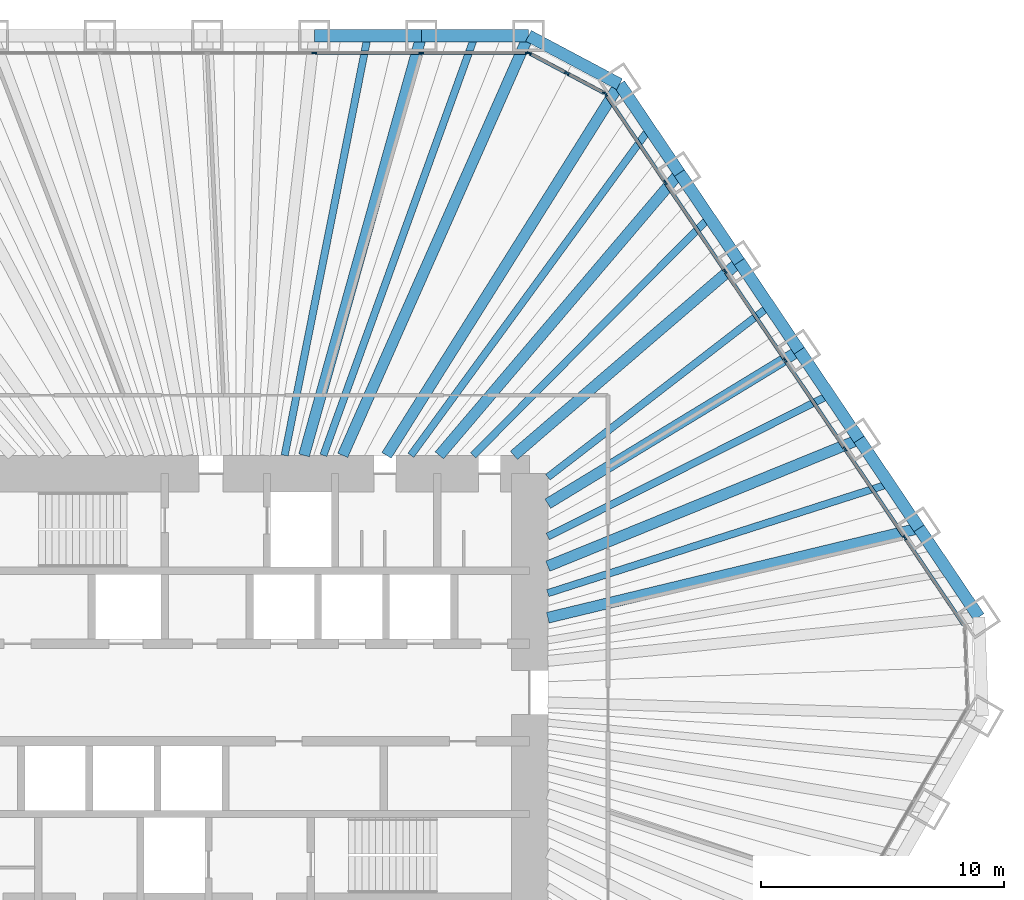
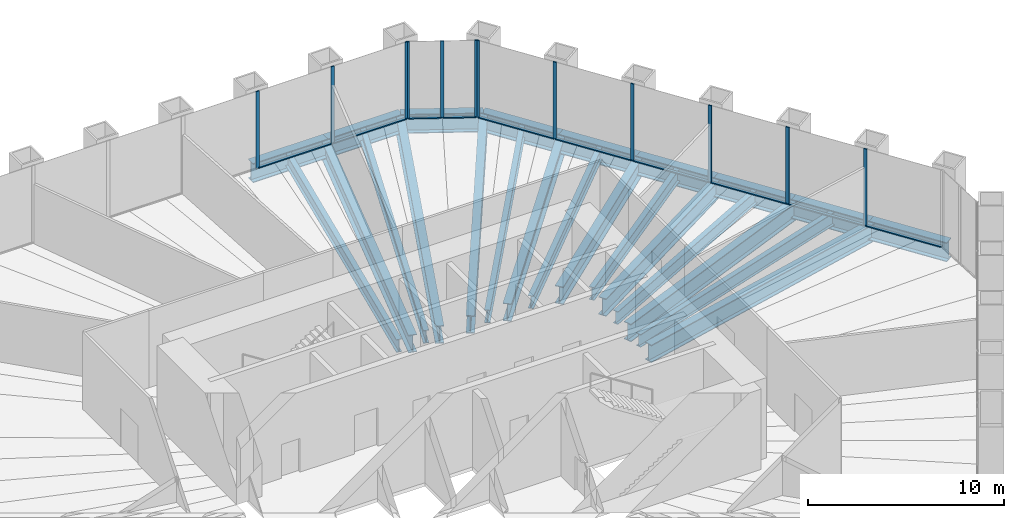
# One storey, part 7 of 13: 24 beams, 22 members, 3 elements without a shape of their own.
"""IFC4 building model written with IfcOpenShell, lengths in metres."""

from ifc_helpers import new_model, si_unit, direction, frame, origin, origin_2d, place, context, subcontext, project, spatial, rectangle, i_section, extrude, material, material_profile, profile_set, type_object, element, aggregate, save


model = new_model("IFC4")

# Units and contexts
model_context = context("Model", 3, precision=1e-05, world=origin(), true_north=direction((0.0, 1.0)))
body_context = subcontext(model_context, "Body", "Model", "MODEL_VIEW")
ifc_project = project(units=[si_unit("LENGTHUNIT", "METRE"), si_unit("AREAUNIT", "SQUARE_METRE"), si_unit("VOLUMEUNIT", "CUBIC_METRE"), si_unit("PLANEANGLEUNIT", "RADIAN"), si_unit("MASSUNIT", "GRAM", prefix="KILO")], contexts=[model_context])

# Site, building, storey
site_placement = place(None, origin())
site = spatial("IfcSite", under=ifc_project, at=site_placement, CompositionType="ELEMENT")
building_placement = place(site_placement, origin())
building = spatial("IfcBuilding", under=site, at=building_placement, Name="Qingtian Harvest Tower", CompositionType="ELEMENT")
storey_placement = place(building_placement, frame((0.0, 0.0, 32.0)))
storey = spatial("IfcBuildingStorey", under=building, at=storey_placement, Name="L06", CompositionType="ELEMENT", Elevation=32.0)

# Beams
ifc_material_1 = material(Name="Steel SM570MC", Category="steel")
ifc_material_profile_1 = material_profile(ifc_material_1, i_section(OverallWidth=0.449951171875, OverallDepth=1.10009765625, WebThickness=0.02197265625, FlangeThickness=0.044921875, at=origin_2d()), Name="H1100x450x22x45")
ifc_profile_set_1 = profile_set([ifc_material_profile_1], Name="Steel SM570MC")
beam_type_1 = type_object("IfcBeamType", Name="Corner floor beam FB8 H1100x450x22x45", PredefinedType="BEAM", material=ifc_profile_set_1)
beam_1_placement = place(storey_placement, frame((11.9560546875, 27.0, -0.75), z_axis=(-0.404898955654, -0.914361436036, 0.0), x_axis=(0.914361436036, -0.404898955654, 0.0)))
element("IfcBeam", 1, at=beam_1_placement, inside=storey, type_object=beam_type_1, Name="Floor beam FB8 N6", PredefinedType="BEAM", context=body_context, shape_type="SweptSolid", body=[
    extrude(i_section(OverallWidth=0.449951171875, OverallDepth=1.10009765625, WebThickness=0.02197265625, FlangeThickness=0.044921875, at=origin_2d()), origin(), (0.0, 0.0, 1.0), 18.86572265625),
])
beam_2_placement = place(storey_placement, frame((15.6982421875, 25.01025390625, -0.75), z_axis=(-0.531622796942, -0.846981228701, 0.0), x_axis=(0.846981228701, -0.531622796942, 0.0)))
element("IfcBeam", 2, at=beam_2_placement, inside=storey, type_object=beam_type_1, Name="Floor beam FB8 NE0", PredefinedType="BEAM", context=body_context, shape_type="SweptSolid", body=[
    extrude(i_section(OverallWidth=0.449951171875, OverallDepth=1.10009765625, WebThickness=0.02197265625, FlangeThickness=0.044921875, at=origin_2d()), origin(), (0.0, 0.0, 1.0), 18.017333984375),
])
ifc_material_2 = material(Name="Steel SM570MC", Category="steel")
ifc_material_profile_2 = material_profile(ifc_material_2, i_section(OverallWidth=0.449951171875, OverallDepth=1.10009765625, WebThickness=0.02197265625, FlangeThickness=0.044921875, at=origin_2d()), Name="H1100x450x22x45")
ifc_profile_set_2 = profile_set([ifc_material_profile_2], Name="Steel SM570MC")
beam_type_2 = type_object("IfcBeamType", Name="Floor beam FB1 H1100x450x22x45", PredefinedType="BEAM", material=ifc_profile_set_2)
beam_3_placement = place(storey_placement, frame((7.551513671875, 27.0, -0.75), z_axis=(-0.269343258019, -0.963044240604, 0.0), x_axis=(0.963044240604, -0.269343258019, 0.0)))
element("IfcBeam", 3, at=beam_3_placement, inside=storey, type_object=beam_type_2, Name="Floor beam FB1 N5", PredefinedType="BEAM", context=body_context, shape_type="SweptSolid", body=[
    extrude(i_section(OverallWidth=0.449951171875, OverallDepth=1.10009765625, WebThickness=0.02197265625, FlangeThickness=0.044921875, at=origin_2d()), origin(), (0.0, 0.0, 1.0), 17.911865234375),
])
beam_4_placement = place(storey_placement, frame((18.1611328125, 21.358642578125, -0.75), z_axis=(-0.647781887327, -0.761825850474, 0.0), x_axis=(0.761825850474, -0.647781887327, 0.0)))
element("IfcBeam", 4, at=beam_4_placement, inside=storey, type_object=beam_type_2, Name="Floor beam FB1 NE1", PredefinedType="BEAM", context=body_context, shape_type="SweptSolid", body=[
    extrude(i_section(OverallWidth=0.449951171875, OverallDepth=1.10009765625, WebThickness=0.02197265625, FlangeThickness=0.044921875, at=origin_2d()), origin(), (0.0, 0.0, 1.0), 15.238037109375),
])
beam_5_placement = place(storey_placement, frame((20.624267578125, 17.70703125, -0.75), z_axis=(-0.75873153072, -0.651403457384, 0.0), x_axis=(0.651403457384, -0.75873153072, 0.0)))
element("IfcBeam", 5, at=beam_5_placement, inside=storey, type_object=beam_type_2, Name="Floor beam FB1 NE2", PredefinedType="BEAM", context=body_context, shape_type="SweptSolid", body=[
    extrude(i_section(OverallWidth=0.449951171875, OverallDepth=1.10009765625, WebThickness=0.02197265625, FlangeThickness=0.044921875, at=origin_2d()), origin(), (0.0, 0.0, 1.0), 12.21533203125),
])
beam_6_placement = place(storey_placement, frame((23.08740234375, 14.0556640625, -0.75), z_axis=(-0.854157261259, -0.520014781558, 0.0), x_axis=(0.520014781558, -0.854157261259, 0.0)))
element("IfcBeam", 6, at=beam_6_placement, inside=storey, type_object=beam_type_2, Name="Floor beam FB1 NE3", PredefinedType="BEAM", context=body_context, shape_type="SweptSolid", body=[
    extrude(i_section(OverallWidth=0.449951171875, OverallDepth=1.10009765625, WebThickness=0.02197265625, FlangeThickness=0.044921875, at=origin_2d()), origin(), (0.0, 0.0, 1.0), 12.1025390625),
])
beam_7_placement = place(storey_placement, frame((25.55029296875, 10.404052734375, -0.75), z_axis=(-0.926156354735, -0.37713977062, 0.0), x_axis=(0.37713977062, -0.926156354735, 0.0)))
element("IfcBeam", 7, at=beam_7_placement, inside=storey, type_object=beam_type_2, Name="Floor beam FB1 NE4", PredefinedType="BEAM", context=body_context, shape_type="SweptSolid", body=[
    extrude(i_section(OverallWidth=0.449951171875, OverallDepth=1.10009765625, WebThickness=0.02197265625, FlangeThickness=0.044921875, at=origin_2d()), origin(), (0.0, 0.0, 1.0), 13.82080078125),
])
beam_8_placement = place(storey_placement, frame((28.013427734375, 6.75244140625, -0.75), z_axis=(-0.972155908389, -0.234334994792, 0.0), x_axis=(0.234334994792, -0.972155908389, 0.0)))
element("IfcBeam", 8, at=beam_8_placement, inside=storey, type_object=beam_type_2, Name="Floor beam FB1 NE5", PredefinedType="BEAM", context=body_context, shape_type="SweptSolid", body=[
    extrude(i_section(OverallWidth=0.449951171875, OverallDepth=1.10009765625, WebThickness=0.02197265625, FlangeThickness=0.044921875, at=origin_2d()), origin(), (0.0, 0.0, 1.0), 15.70068359375),
])
ifc_material_3 = material(Name="Steel SN490B", Category="steel")
ifc_material_profile_3 = material_profile(ifc_material_3, i_section(OverallWidth=0.300048828125, OverallDepth=0.800048828125, WebThickness=0.013916015625, FlangeThickness=0.02587890625, at=origin_2d()), Name="H800x300x14x26")
ifc_profile_set_3 = profile_set([ifc_material_profile_3], Name="Steel SN490B")
beam_type_3 = type_object("IfcBeamType", Name="Floor joist J1 H800x300x14x26", PredefinedType="JOIST", material=ifc_profile_set_3)
beam_9_placement = place(storey_placement, frame((5.349365234375, 27.0, -0.60009765625), z_axis=(-0.19435104803, -0.980932041545, 0.0), x_axis=(0.980932041545, -0.19435104803, 0.0)))
element("IfcBeam", 9, at=beam_9_placement, inside=storey, type_object=beam_type_3, Name="Floor joist J1 N4", PredefinedType="JOIST", context=body_context, shape_type="SweptSolid", body=[
    extrude(i_section(OverallWidth=0.300048828125, OverallDepth=0.800048828125, WebThickness=0.013916015625, FlangeThickness=0.02587890625, at=origin_2d()), origin(), (0.0, 0.0, 1.0), 17.585205078125),
])
beam_10_placement = place(storey_placement, frame((9.75390625, 27.0, -0.60009765625), z_axis=(-0.339766141765, -0.940509951521, 0.0), x_axis=(0.940509951521, -0.339766141765, 0.0)))
element("IfcBeam", 10, at=beam_10_placement, inside=storey, type_object=beam_type_3, Name="Floor joist J1 N5", PredefinedType="JOIST", context=body_context, shape_type="SweptSolid", body=[
    extrude(i_section(OverallWidth=0.300048828125, OverallDepth=0.800048828125, WebThickness=0.013916015625, FlangeThickness=0.02587890625, at=origin_2d()), origin(), (0.0, 0.0, 1.0), 18.341064453125),
])
beam_11_placement = place(storey_placement, frame((16.9296875, 23.1845703125, -0.60009765625), z_axis=(-0.589722175422, -0.80760618857, 0.0), x_axis=(0.80760618857, -0.589722175422, 0.0)))
element("IfcBeam", 11, at=beam_11_placement, inside=storey, type_object=beam_type_3, Name="Floor joist J1 NE0", PredefinedType="JOIST", context=body_context, shape_type="SweptSolid", body=[
    extrude(i_section(OverallWidth=0.300048828125, OverallDepth=0.800048828125, WebThickness=0.013916015625, FlangeThickness=0.02587890625, at=origin_2d()), origin(), (0.0, 0.0, 1.0), 16.635009765625),
])
beam_12_placement = place(storey_placement, frame((19.392822265625, 19.532958984375, -0.60009765625), z_axis=(-0.704560879039, -0.709643549768, 0.0), x_axis=(0.709643549768, -0.704560879039, 0.0)))
element("IfcBeam", 12, at=beam_12_placement, inside=storey, type_object=beam_type_3, Name="Floor joist J1 NE1", PredefinedType="JOIST", context=body_context, shape_type="SweptSolid", body=[
    extrude(i_section(OverallWidth=0.300048828125, OverallDepth=0.800048828125, WebThickness=0.013916015625, FlangeThickness=0.02587890625, at=origin_2d()), origin(), (0.0, 0.0, 1.0), 13.78564453125),
])
beam_13_placement = place(storey_placement, frame((21.855712890625, 15.88134765625, -0.60009765625), z_axis=(-0.79149450594, -0.611176281499, 0.0), x_axis=(0.611176281499, -0.79149450594, 0.0)))
element("IfcBeam", 13, at=beam_13_placement, inside=storey, type_object=beam_type_3, Name="Floor joist J1 NE2", PredefinedType="JOIST", context=body_context, shape_type="SweptSolid", body=[
    extrude(i_section(OverallWidth=0.300048828125, OverallDepth=0.800048828125, WebThickness=0.013916015625, FlangeThickness=0.02587890625, at=origin_2d()), origin(), (0.0, 0.0, 1.0), 11.50439453125),
])
beam_14_placement = place(storey_placement, frame((24.31884765625, 12.229736328125, -0.60009765625), z_axis=(-0.893391632689, -0.449278744924, 0.0), x_axis=(0.449278744924, -0.893391632689, 0.0)))
element("IfcBeam", 14, at=beam_14_placement, inside=storey, type_object=beam_type_3, Name="Floor joist J1 NE3", PredefinedType="JOIST", context=body_context, shape_type="SweptSolid", body=[
    extrude(i_section(OverallWidth=0.300048828125, OverallDepth=0.800048828125, WebThickness=0.013916015625, FlangeThickness=0.02587890625, at=origin_2d()), origin(), (0.0, 0.0, 1.0), 12.949462890625),
])
beam_15_placement = place(storey_placement, frame((26.78173828125, 8.578125, -0.60009765625), z_axis=(-0.952340804978, -0.305036048976, 0.0), x_axis=(0.305036048976, -0.952340804978, 0.0)))
element("IfcBeam", 15, at=beam_15_placement, inside=storey, type_object=beam_type_3, Name="Floor joist J1 NE4", PredefinedType="JOIST", context=body_context, shape_type="SweptSolid", body=[
    extrude(i_section(OverallWidth=0.300048828125, OverallDepth=0.800048828125, WebThickness=0.013916015625, FlangeThickness=0.02587890625, at=origin_2d()), origin(), (0.0, 0.0, 1.0), 14.73388671875),
])

# Curtain wall, members
ifc_material_4 = material(Name="Bronze-anodised aluminium curtain wall", Category="aluminium")
curtain_wall_type = type_object("IfcCurtainWallType", Name="Curtain wall CW2 farm reception", PredefinedType="USERDEFINED", material=ifc_material_4)
curtain_wall_1_placement = place(storey_placement, origin())
curtain_wall_1 = element("IfcCurtainWall", 16, at=curtain_wall_1_placement, inside=storey, type_object=curtain_wall_type, Name="Curtain wall CW2 L06 N0-5", ObjectType="RECESSED CURTAIN WALL", PredefinedType="USERDEFINED")
ifc_material_5 = material(Name="Bronze-anodised aluminium mullion", Category="aluminium")
ifc_material_profile_4 = material_profile(ifc_material_5, rectangle(XDim=0.06494140625, YDim=0.199951171875, at=origin_2d()), Name="AL 65x200")
ifc_profile_set_4 = profile_set([ifc_material_profile_4], Name="Bronze-anodised aluminium mullion")
member_type_1 = type_object("IfcMemberType", Name="Mullion CWM 65x200", PredefinedType="MULLION", material=ifc_profile_set_4)
member_1_placement = place(storey_placement, frame((3.14697265625, 26.300048828125, 0.0), z_axis=(0.0, 0.0, 1.0), x_axis=(0.0, 1.0, 0.0)))
member_1 = element("IfcMember", 17, at=member_1_placement, type_object=member_type_1, Name="CW2 mullion 5", PredefinedType="MULLION", context=body_context, shape_type="SweptSolid", body=[
    extrude(rectangle(XDim=0.06494140625, YDim=0.199951171875, at=origin_2d()), origin(), (0.0, 0.0, 1.0), 4.800048828125),
])
member_2_placement = place(storey_placement, frame((7.551513671875, 26.300048828125, 0.0), z_axis=(0.0, 0.0, 1.0), x_axis=(0.0, 1.0, 0.0)))
member_2 = element("IfcMember", 18, at=member_2_placement, type_object=member_type_1, Name="CW2 mullion 6", PredefinedType="MULLION", context=body_context, shape_type="SweptSolid", body=[
    extrude(rectangle(XDim=0.06494140625, YDim=0.199951171875, at=origin_2d()), origin(), (0.0, 0.0, 1.0), 4.800048828125),
])
member_3_placement = place(storey_placement, frame((11.923583984375, 26.300048828125, 0.0), z_axis=(0.0, 0.0, 1.0), x_axis=(0.0, 1.0, 0.0)))
member_3 = element("IfcMember", 19, at=member_3_placement, type_object=member_type_1, Name="CW2 mullion 7", PredefinedType="MULLION", context=body_context, shape_type="SweptSolid", body=[
    extrude(rectangle(XDim=0.06494140625, YDim=0.199951171875, at=origin_2d()), origin(), (0.0, 0.0, 1.0), 4.800048828125),
])

curtain_wall_2_placement = place(storey_placement, origin())
curtain_wall_2 = element("IfcCurtainWall", 20, at=curtain_wall_2_placement, inside=storey, type_object=curtain_wall_type, Name="Curtain wall CW2 L06 NC", ObjectType="RECESSED CURTAIN WALL", PredefinedType="USERDEFINED")
member_4_placement = place(storey_placement, frame((11.98486328125, 26.28466796875, 0.0), z_axis=(0.0, 0.0, 1.0), x_axis=(0.469471562786, 0.882947592859, 0.0)))
member_4 = element("IfcMember", 21, at=member_4_placement, type_object=member_type_1, Name="CW2 mullion 1", PredefinedType="MULLION", context=body_context, shape_type="SweptSolid", body=[
    extrude(rectangle(XDim=0.06494140625, YDim=0.199951171875, at=origin_2d()), origin(), (0.0, 0.0, 1.0), 4.800048828125),
])
member_5_placement = place(storey_placement, frame((13.537109375, 25.45947265625, 0.0), z_axis=(0.0, 0.0, 1.0), x_axis=(0.469471562786, 0.882947592859, 0.0)))
member_5 = element("IfcMember", 22, at=member_5_placement, type_object=member_type_1, Name="CW2 mullion 2", PredefinedType="MULLION", context=body_context, shape_type="SweptSolid", body=[
    extrude(rectangle(XDim=0.06494140625, YDim=0.199951171875, at=origin_2d()), origin(), (0.0, 0.0, 1.0), 4.800048828125),
])
member_6_placement = place(storey_placement, frame((15.089111328125, 24.634033203125, 0.0), z_axis=(0.0, 0.0, 1.0), x_axis=(0.469471562786, 0.882947592859, 0.0)))
member_6 = element("IfcMember", 23, at=member_6_placement, type_object=member_type_1, Name="CW2 mullion 3", PredefinedType="MULLION", context=body_context, shape_type="SweptSolid", body=[
    extrude(rectangle(XDim=0.06494140625, YDim=0.199951171875, at=origin_2d()), origin(), (0.0, 0.0, 1.0), 4.800048828125),
])

curtain_wall_3_placement = place(storey_placement, origin())
curtain_wall_3 = element("IfcCurtainWall", 24, at=curtain_wall_3_placement, inside=storey, type_object=curtain_wall_type, Name="Curtain wall CW2 L06 NE0-5", ObjectType="RECESSED CURTAIN WALL", PredefinedType="USERDEFINED")
member_7_placement = place(storey_placement, frame((15.135986328125, 24.592041015625, 0.0), z_axis=(0.0, 0.0, 1.0), x_axis=(0.829037572555, 0.559192903471, 0.0)))
member_7 = element("IfcMember", 25, at=member_7_placement, type_object=member_type_1, Name="CW2 mullion 1", PredefinedType="MULLION", context=body_context, shape_type="SweptSolid", body=[
    extrude(rectangle(XDim=0.06494140625, YDim=0.199951171875, at=origin_2d()), origin(), (0.0, 0.0, 1.0), 4.800048828125),
])
member_8_placement = place(storey_placement, frame((17.580810546875, 20.96728515625, 0.0), z_axis=(0.0, 0.0, 1.0), x_axis=(0.829037572555, 0.559192903471, 0.0)))
member_8 = element("IfcMember", 26, at=member_8_placement, type_object=member_type_1, Name="CW2 mullion 2", PredefinedType="MULLION", context=body_context, shape_type="SweptSolid", body=[
    extrude(rectangle(XDim=0.06494140625, YDim=0.199951171875, at=origin_2d()), origin(), (0.0, 0.0, 1.0), 4.800048828125),
])
member_9_placement = place(storey_placement, frame((20.0439453125, 17.315673828125, 0.0), z_axis=(0.0, 0.0, 1.0), x_axis=(0.829037572555, 0.559192903471, 0.0)))
member_9 = element("IfcMember", 27, at=member_9_placement, type_object=member_type_1, Name="CW2 mullion 3", PredefinedType="MULLION", context=body_context, shape_type="SweptSolid", body=[
    extrude(rectangle(XDim=0.06494140625, YDim=0.199951171875, at=origin_2d()), origin(), (0.0, 0.0, 1.0), 4.800048828125),
])
member_10_placement = place(storey_placement, frame((22.507080078125, 13.6640625, 0.0), z_axis=(0.0, 0.0, 1.0), x_axis=(0.829037572555, 0.559192903471, 0.0)))
member_10 = element("IfcMember", 28, at=member_10_placement, type_object=member_type_1, Name="CW2 mullion 4", PredefinedType="MULLION", context=body_context, shape_type="SweptSolid", body=[
    extrude(rectangle(XDim=0.06494140625, YDim=0.199951171875, at=origin_2d()), origin(), (0.0, 0.0, 1.0), 4.800048828125),
])
member_11_placement = place(storey_placement, frame((24.969970703125, 10.012451171875, 0.0), z_axis=(0.0, 0.0, 1.0), x_axis=(0.829037572555, 0.559192903471, 0.0)))
member_11 = element("IfcMember", 29, at=member_11_placement, type_object=member_type_1, Name="CW2 mullion 5", PredefinedType="MULLION", context=body_context, shape_type="SweptSolid", body=[
    extrude(rectangle(XDim=0.06494140625, YDim=0.199951171875, at=origin_2d()), origin(), (0.0, 0.0, 1.0), 4.800048828125),
])
member_12_placement = place(storey_placement, frame((27.43310546875, 6.36083984375, 0.0), z_axis=(0.0, 0.0, 1.0), x_axis=(0.829037572555, 0.559192903471, 0.0)))
member_12 = element("IfcMember", 30, at=member_12_placement, type_object=member_type_1, Name="CW2 mullion 6", PredefinedType="MULLION", context=body_context, shape_type="SweptSolid", body=[
    extrude(rectangle(XDim=0.06494140625, YDim=0.199951171875, at=origin_2d()), origin(), (0.0, 0.0, 1.0), 4.800048828125),
])

# Beams
ifc_material_6 = material(Name="Steel SM570MC", Category="steel")
ifc_material_profile_5 = material_profile(ifc_material_6, i_section(OverallWidth=0.5, OverallDepth=1.199951171875, WebThickness=0.02490234375, FlangeThickness=0.050048828125, at=origin_2d()), Name="H1200x500x25x50")
ifc_profile_set_5 = profile_set([ifc_material_profile_5], Name="Steel SM570MC")
beam_type_4 = type_object("IfcBeamType", Name="Spandrel beam SB1 H1200x500x25x50", PredefinedType="SPANDREL", material=ifc_profile_set_5)
for number, where, z_axis, x_axis, name in (
    (31, (3.14697265625, 27.0, -0.60009765625), (1.0, 0.0, 0.0), (0.0, 1.0, 0.0), "Spandrel SB1 N4"),
    (32, (7.551513671875, 27.0, -0.60009765625), (1.0, 0.0, 0.0), (0.0, 1.0, 0.0), "Spandrel SB1 N5"),
):
    element("IfcBeam", number, at=place(storey_placement, frame(where, z_axis=z_axis, x_axis=x_axis)), inside=storey, type_object=beam_type_4, Name=name, PredefinedType="SPANDREL", context=body_context, shape_type="SweptSolid", body=[
        extrude(i_section(OverallWidth=0.5, OverallDepth=1.199951171875, WebThickness=0.02490234375, FlangeThickness=0.050048828125, at=origin_2d()), origin(), (0.0, 0.0, 1.0), 4.404541015625),
    ])
beam_16_placement = place(storey_placement, frame((11.9560546875, 27.0, -0.60009765625), z_axis=(0.882948599748, -0.469469669099, 0.0), x_axis=(0.469469669099, 0.882948599748, 0.0)))
element("IfcBeam", 33, at=beam_16_placement, inside=storey, type_object=beam_type_4, Name="Spandrel SB1 NC", PredefinedType="SPANDREL", context=body_context, shape_type="SweptSolid", body=[
    extrude(i_section(OverallWidth=0.5, OverallDepth=1.199951171875, WebThickness=0.02490234375, FlangeThickness=0.050048828125, at=origin_2d()), origin(), (0.0, 0.0, 1.0), 4.23828125),
])
beam_17_placement = place(storey_placement, frame((15.6982421875, 25.01025390625, -0.60009765625), z_axis=(0.559169135272, -0.829053603912, 0.0), x_axis=(0.829053603912, 0.559169135272, 0.0)))
element("IfcBeam", 34, at=beam_17_placement, inside=storey, type_object=beam_type_4, Name="Spandrel SB1 NE0", PredefinedType="SPANDREL", context=body_context, shape_type="SweptSolid", body=[
    extrude(i_section(OverallWidth=0.5, OverallDepth=1.199951171875, WebThickness=0.02490234375, FlangeThickness=0.050048828125, at=origin_2d()), origin(), (0.0, 0.0, 1.0), 4.404541015625),
])
beam_18_placement = place(storey_placement, frame((18.1611328125, 21.358642578125, -0.60009765625), z_axis=(0.559207231603, -0.829027907928, 0.0), x_axis=(0.829027907928, 0.559207231603, 0.0)))
element("IfcBeam", 35, at=beam_18_placement, inside=storey, type_object=beam_type_4, Name="Spandrel SB1 NE1", PredefinedType="SPANDREL", context=body_context, shape_type="SweptSolid", body=[
    extrude(i_section(OverallWidth=0.5, OverallDepth=1.199951171875, WebThickness=0.02490234375, FlangeThickness=0.050048828125, at=origin_2d()), origin(), (0.0, 0.0, 1.0), 4.40478515625),
])
for number, where, z_axis, x_axis, name in (
    (36, (20.624267578125, 17.70703125, -0.60009765625), (0.559232928578, -0.829010573874, 0.0), (0.829010573874, 0.559232928578, 0.0), "Spandrel SB1 NE2"),
    (37, (23.08740234375, 14.0556640625, -0.60009765625), (0.559169135272, -0.829053603912, 0.0), (0.829053603912, 0.559169135272, 0.0), "Spandrel SB1 NE3"),
):
    element("IfcBeam", number, at=place(storey_placement, frame(where, z_axis=z_axis, x_axis=x_axis)), inside=storey, type_object=beam_type_4, Name=name, PredefinedType="SPANDREL", context=body_context, shape_type="SweptSolid", body=[
        extrude(i_section(OverallWidth=0.5, OverallDepth=1.199951171875, WebThickness=0.02490234375, FlangeThickness=0.050048828125, at=origin_2d()), origin(), (0.0, 0.0, 1.0), 4.404541015625),
    ])
beam_19_placement = place(storey_placement, frame((25.55029296875, 10.404052734375, -0.60009765625), z_axis=(0.559207231603, -0.829027907928, 0.0), x_axis=(0.829027907928, 0.559207231603, 0.0)))
element("IfcBeam", 38, at=beam_19_placement, inside=storey, type_object=beam_type_4, Name="Spandrel SB1 NE4", PredefinedType="SPANDREL", context=body_context, shape_type="SweptSolid", body=[
    extrude(i_section(OverallWidth=0.5, OverallDepth=1.199951171875, WebThickness=0.02490234375, FlangeThickness=0.050048828125, at=origin_2d()), origin(), (0.0, 0.0, 1.0), 4.40478515625),
])
beam_20_placement = place(storey_placement, frame((28.013427734375, 6.75244140625, -0.60009765625), z_axis=(0.559169135272, -0.829053603912, 0.0), x_axis=(0.829053603912, 0.559169135272, 0.0)))
element("IfcBeam", 39, at=beam_20_placement, inside=storey, type_object=beam_type_4, Name="Spandrel SB1 NE5", PredefinedType="SPANDREL", context=body_context, shape_type="SweptSolid", body=[
    extrude(i_section(OverallWidth=0.5, OverallDepth=1.199951171875, WebThickness=0.02490234375, FlangeThickness=0.050048828125, at=origin_2d()), origin(), (0.0, 0.0, 1.0), 4.404541015625),
])

# Member
ifc_material_7 = material(Name="Bronze-anodised aluminium transom", Category="aluminium")
ifc_material_profile_6 = material_profile(ifc_material_7, rectangle(XDim=0.14990234375, YDim=0.06494140625, at=origin_2d()), Name="AL 65x150")
ifc_profile_set_6 = profile_set([ifc_material_profile_6], Name="Bronze-anodised aluminium transom")
member_type_2 = type_object("IfcMemberType", Name="Transom CWT 65x150", PredefinedType="USERDEFINED", material=ifc_profile_set_6)
member_13_placement = place(storey_placement, frame((3.179443359375, 26.300048828125, 0.032470703125), z_axis=(1.0, 0.0, 0.0), x_axis=(0.0, 1.0, 0.0)))
member_13 = element("IfcMember", 40, at=member_13_placement, type_object=member_type_2, Name="CW2 transom 5.1", ObjectType="TRANSOM", PredefinedType="USERDEFINED", context=body_context, shape_type="SweptSolid", body=[
    extrude(rectangle(XDim=0.14990234375, YDim=0.06494140625, at=origin_2d()), origin(), (0.0, 0.0, 1.0), 4.339599609375),
])

member_14_placement = place(storey_placement, frame((7.583984375, 26.300048828125, 0.032470703125), z_axis=(1.0, 0.0, 0.0), x_axis=(0.0, 1.0, 0.0)))
member_14 = element("IfcMember", 41, at=member_14_placement, type_object=member_type_2, Name="CW2 transom 6.1", ObjectType="TRANSOM", PredefinedType="USERDEFINED", context=body_context, shape_type="SweptSolid", body=[
    extrude(rectangle(XDim=0.14990234375, YDim=0.06494140625, at=origin_2d()), origin(), (0.0, 0.0, 1.0), 4.30712890625),
])

aggregate(curtain_wall_1, [member_1, member_2, member_3, member_13, member_14])

member_15_placement = place(storey_placement, frame((12.013427734375, 26.26953125, 0.032470703125), z_axis=(0.882927080927, -0.469510138086, 0.0), x_axis=(0.469510138086, 0.882927080927, 0.0)))
member_15 = element("IfcMember", 42, at=member_15_placement, type_object=member_type_2, Name="CW2 transom 1.1", ObjectType="TRANSOM", PredefinedType="USERDEFINED", context=body_context, shape_type="SweptSolid", body=[
    extrude(rectangle(XDim=0.14990234375, YDim=0.06494140625, at=origin_2d()), origin(), (0.0, 0.0, 1.0), 1.693115234375),
])

member_16_placement = place(storey_placement, frame((13.565673828125, 25.444091796875, 0.032470703125), z_axis=(0.882986854304, -0.469397715297, 0.0), x_axis=(0.469397715297, 0.882986854304, 0.0)))
member_16 = element("IfcMember", 43, at=member_16_placement, type_object=member_type_2, Name="CW2 transom 2.1", ObjectType="TRANSOM", PredefinedType="USERDEFINED", context=body_context, shape_type="SweptSolid", body=[
    extrude(rectangle(XDim=0.14990234375, YDim=0.06494140625, at=origin_2d()), origin(), (0.0, 0.0, 1.0), 1.69287109375),
])

aggregate(curtain_wall_2, [member_4, member_5, member_6, member_15, member_16])

member_17_placement = place(storey_placement, frame((15.154296875, 24.56494140625, 0.032470703125), z_axis=(0.559178817275, -0.82904707364, 0.0), x_axis=(0.82904707364, 0.559178817275, 0.0)))
member_17 = element("IfcMember", 44, at=member_17_placement, type_object=member_type_2, Name="CW2 transom 1.1", ObjectType="TRANSOM", PredefinedType="USERDEFINED", context=body_context, shape_type="SweptSolid", body=[
    extrude(rectangle(XDim=0.14990234375, YDim=0.06494140625, at=origin_2d()), origin(), (0.0, 0.0, 1.0), 4.30712890625),
])

member_18_placement = place(storey_placement, frame((17.59912109375, 20.9404296875, 0.032470703125), z_axis=(0.559210013199, -0.82902603164, 0.0), x_axis=(0.82902603164, 0.559210013199, 0.0)))
member_18 = element("IfcMember", 45, at=member_18_placement, type_object=member_type_2, Name="CW2 transom 2.1", ObjectType="TRANSOM", PredefinedType="USERDEFINED", context=body_context, shape_type="SweptSolid", body=[
    extrude(rectangle(XDim=0.14990234375, YDim=0.06494140625, at=origin_2d()), origin(), (0.0, 0.0, 1.0), 4.339599609375),
])

member_19_placement = place(storey_placement, frame((20.06201171875, 17.288818359375, 0.032470703125), z_axis=(0.559210013199, -0.82902603164, 0.0), x_axis=(0.82902603164, 0.559210013199, 0.0)))
member_19 = element("IfcMember", 46, at=member_19_placement, type_object=member_type_2, Name="CW2 transom 3.1", ObjectType="TRANSOM", PredefinedType="USERDEFINED", context=body_context, shape_type="SweptSolid", body=[
    extrude(rectangle(XDim=0.14990234375, YDim=0.06494140625, at=origin_2d()), origin(), (0.0, 0.0, 1.0), 4.339599609375),
])

member_20_placement = place(storey_placement, frame((22.525146484375, 13.63720703125, 0.032470703125), z_axis=(0.559210013199, -0.82902603164, 0.0), x_axis=(0.82902603164, 0.559210013199, 0.0)))
member_20 = element("IfcMember", 47, at=member_20_placement, type_object=member_type_2, Name="CW2 transom 4.1", ObjectType="TRANSOM", PredefinedType="USERDEFINED", context=body_context, shape_type="SweptSolid", body=[
    extrude(rectangle(XDim=0.14990234375, YDim=0.06494140625, at=origin_2d()), origin(), (0.0, 0.0, 1.0), 4.339599609375),
])

member_21_placement = place(storey_placement, frame((24.98828125, 9.985595703125, 0.032470703125), z_axis=(0.559171345763, -0.829052113005, 0.0), x_axis=(0.829052113005, 0.559171345763, 0.0)))
member_21 = element("IfcMember", 48, at=member_21_placement, type_object=member_type_2, Name="CW2 transom 5.1", ObjectType="TRANSOM", PredefinedType="USERDEFINED", context=body_context, shape_type="SweptSolid", body=[
    extrude(rectangle(XDim=0.14990234375, YDim=0.06494140625, at=origin_2d()), origin(), (0.0, 0.0, 1.0), 4.339599609375),
])

member_22_placement = place(storey_placement, frame((27.451171875, 6.333984375, 0.032470703125), z_axis=(0.559178817275, -0.82904707364, 0.0), x_axis=(0.82904707364, 0.559178817275, 0.0)))
member_22 = element("IfcMember", 49, at=member_22_placement, type_object=member_type_2, Name="CW2 transom 6.1", ObjectType="TRANSOM", PredefinedType="USERDEFINED", context=body_context, shape_type="SweptSolid", body=[
    extrude(rectangle(XDim=0.14990234375, YDim=0.06494140625, at=origin_2d()), origin(), (0.0, 0.0, 1.0), 4.30712890625),
])

aggregate(curtain_wall_3, [member_7, member_8, member_9, member_10, member_11, member_12, member_17, member_18, member_19, member_20, member_21, member_22])

save(model, "model.ifc")
